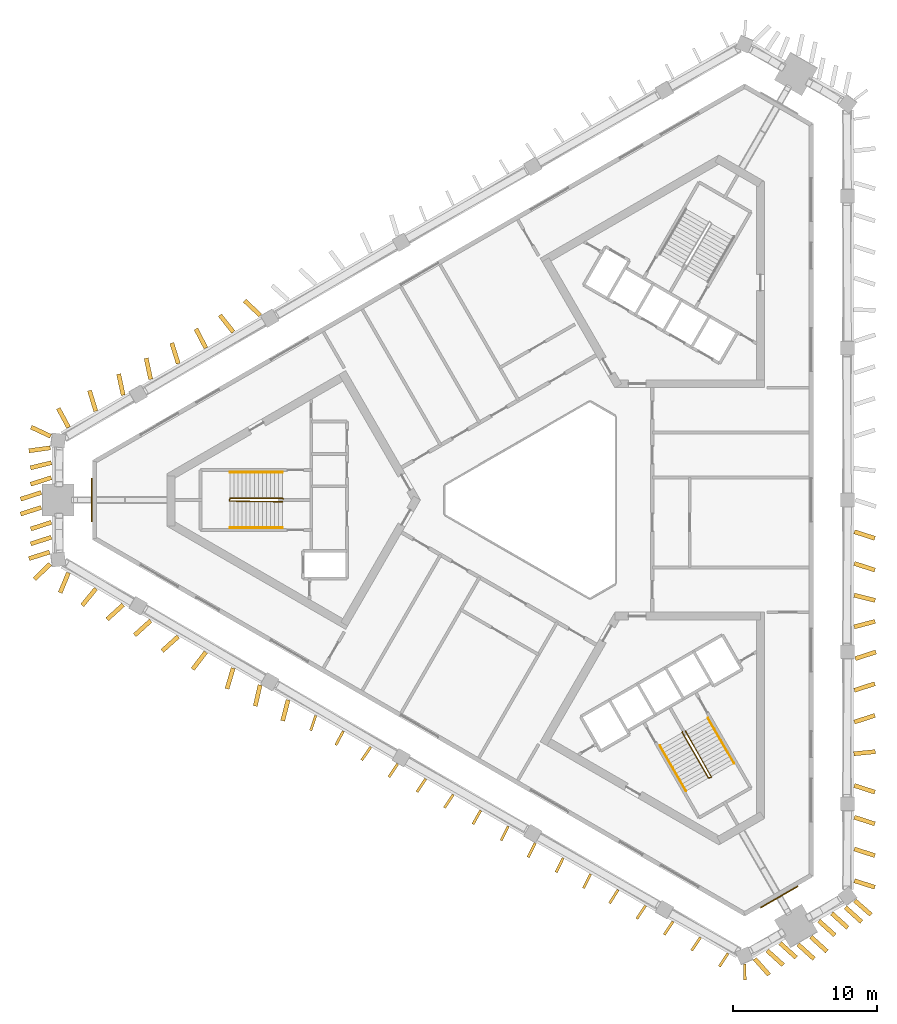
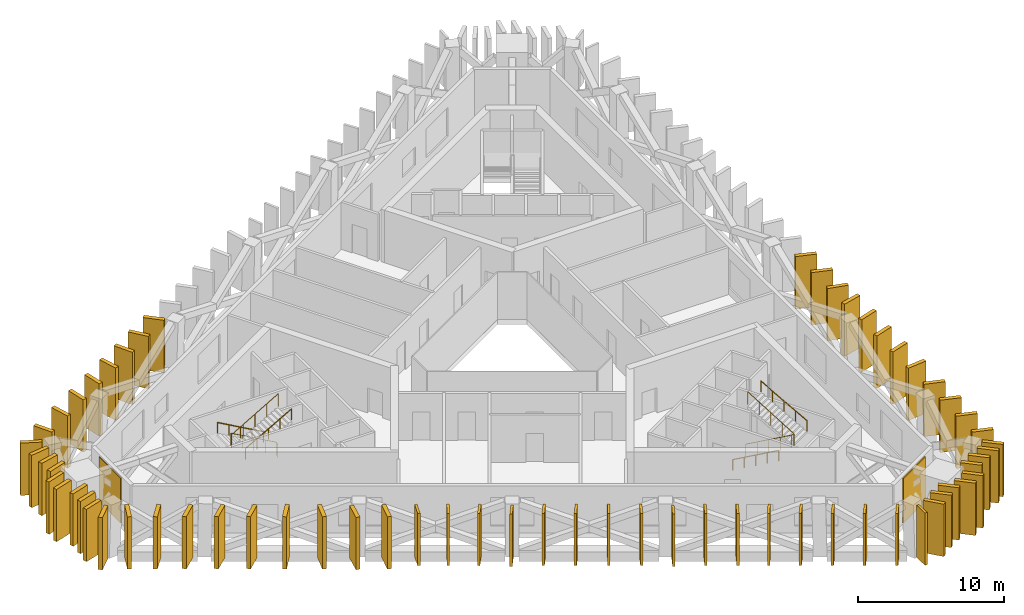
# One storey, part 8 of 9: 65 shading devices, 6 railings, 2 coverings.
"""IFC4 building model written with IfcOpenShell, lengths in metres."""

from ifc_helpers import new_model, si_unit, direction, frame, frame_2d, origin, origin_2d, place, context, subcontext, project, spatial, rectangle, circle, extrude, material, layer, layer_set, type_object, element, save


model = new_model("IFC4")

# Units and contexts
model_context = context("Model", 3, precision=1e-05, world=origin(), true_north=direction((0.0, 1.0)))
body_context = subcontext(model_context, "Body", "Model", "MODEL_VIEW")
ifc_project = project(units=[si_unit("LENGTHUNIT", "METRE"), si_unit("AREAUNIT", "SQUARE_METRE"), si_unit("VOLUMEUNIT", "CUBIC_METRE"), si_unit("PLANEANGLEUNIT", "RADIAN"), si_unit("MASSUNIT", "GRAM", prefix="KILO")], contexts=[model_context])

# Site, building, storey
site_placement = place(None, origin())
site = spatial("IfcSite", under=ifc_project, at=site_placement, CompositionType="ELEMENT")
building_placement = place(site_placement, origin())
building = spatial("IfcBuilding", under=site, at=building_placement, Name="Jabali Bay Hotel Tower and Convention Centre", CompositionType="ELEMENT")
storey_placement = place(building_placement, frame((0.0, 0.0, 197.0)))
storey = spatial("IfcBuildingStorey", under=building, at=storey_placement, Name="L48", CompositionType="ELEMENT", Elevation=197.0)

# Shading devices
ifc_material_1 = material(Name="Precast concrete C60", Category="concrete")
ifc_layer_1 = layer(ifc_material_1, 0.179931640625)
ifc_layer_set_1 = layer_set([ifc_layer_1], Name="Precast concrete C60")
shading_device_type_1 = type_object("IfcShadingDeviceType", Name="Precast fin 4380 x 1100", PredefinedType="USERDEFINED", material=ifc_layer_set_1)
for number, where, z_axis, x_axis, name in (
    (1, (58.728271484375, 65.03466796875, 0.010009765625), (0.0, 0.0, 1.0), (-0.318690112334, -0.947858962241, 0.0), "Fin L48 075"),
    (2, (60.643798828125, 63.946533203125, 0.010009765625), (0.0, 0.0, 1.0), (-0.476440413932, -0.879206762925, 0.0), "Fin L48 076"),
    (3, (62.549072265625, 62.840576171875, 0.010009765625), (0.0, 0.0, 1.0), (-0.57062871081, -0.821208179696, 0.0), "Fin L48 077"),
    (4, (64.420166015625, 61.67529296875, 0.010009765625), (0.0, 0.0, 1.0), (-0.559045879167, -0.829136722734, 0.0), "Fin L48 078"),
    (5, (66.36572265625, 60.638916015625, 0.010009765625), (0.0, 0.0, 1.0), (-0.555314670975, -0.831640316603, 0.0), "Fin L48 079"),
    (6, (68.273681640625, 59.53759765625, 0.010009765625), (0.0, 0.0, 1.0), (-0.553982926537, -0.83252802782, 0.0), "Fin L48 080"),
    (7, (70.18408203125, 58.440185546875, 0.010009765625), (0.0, 0.0, 1.0), (-0.492262012535, -0.870447075367, 0.0), "Fin L48 081"),
):
    element("IfcShadingDevice", number, at=place(storey_placement, frame(where, z_axis=z_axis, x_axis=x_axis)), inside=storey, type_object=shading_device_type_1, Name=name, ObjectType="FIN", PredefinedType="USERDEFINED", context=body_context, shape_type="SweptSolid", body=[
        extrude(rectangle(XDim=1.10009765625, YDim=0.179931640625, at=frame_2d((0.550048828125, 0.0))), origin(), (0.0, 0.0, 1.0), 4.3798828125),
    ])
shading_device_1_placement = place(storey_placement, frame((72.089599609375, 57.33447265625, 0.010009765625), z_axis=(0.0, 0.0, 1.0), x_axis=(-0.444814783853, -0.895622581262, 0.0)))
element("IfcShadingDevice", 8, at=shading_device_1_placement, inside=storey, type_object=shading_device_type_1, Name="Fin L48 082", ObjectType="FIN", PredefinedType="USERDEFINED", context=body_context, shape_type="SweptSolid", body=[
    extrude(rectangle(XDim=1.099853515625, YDim=0.179931640625, at=frame_2d((0.5498046875, 0.0))), origin(), (0.0, 0.0, 1.0), 4.3798828125),
])
for number, where, z_axis, x_axis, name in (
    (9, (73.962158203125, 56.172119140625, 0.010009765625), (0.0, 0.0, 1.0), (-0.444548317937, -0.895754873288, 0.0), "Fin L48 083"),
    (10, (75.9052734375, 55.131591796875, 0.010009765625), (0.0, 0.0, 1.0), (-0.444548317937, -0.895754873288, 0.0), "Fin L48 084"),
    (11, (77.813232421875, 54.030029296875, 0.010009765625), (0.0, 0.0, 1.0), (-0.444548317937, -0.895754873288, 0.0), "Fin L48 085"),
    (12, (79.72216796875, 52.930419921875, 0.010009765625), (0.0, 0.0, 1.0), (-0.532430600127, -0.846473659394, 0.0), "Fin L48 086"),
    (13, (81.629150390625, 51.826904296875, 0.010009765625), (0.0, 0.0, 1.0), (-0.554136731172, -0.832425662246, 0.0), "Fin L48 087"),
):
    element("IfcShadingDevice", number, at=place(storey_placement, frame(where, z_axis=z_axis, x_axis=x_axis)), inside=storey, type_object=shading_device_type_1, Name=name, ObjectType="FIN", PredefinedType="USERDEFINED", context=body_context, shape_type="SweptSolid", body=[
        extrude(rectangle(XDim=1.10009765625, YDim=0.179931640625, at=frame_2d((0.550048828125, 0.0))), origin(), (0.0, 0.0, 1.0), 4.3798828125),
    ])
for number, where, z_axis, x_axis, name in (
    (14, (83.536865234375, 50.72509765625, 0.010009765625), (0.0, 0.0, 1.0), (-0.555570666114, -0.831469322918, 0.0), "Fin L48 088"),
    (15, (85.444580078125, 49.623291015625, 0.010009765625), (0.0, 0.0, 1.0), (-0.559556717852, -0.828792060475, 0.0), "Fin L48 089"),
):
    element("IfcShadingDevice", number, at=place(storey_placement, frame(where, z_axis=z_axis, x_axis=x_axis)), inside=storey, type_object=shading_device_type_1, Name=name, ObjectType="FIN", PredefinedType="USERDEFINED", context=body_context, shape_type="SweptSolid", body=[
        extrude(rectangle(XDim=1.099853515625, YDim=0.179931640625, at=frame_2d((0.5498046875, 0.0))), origin(), (0.0, 0.0, 1.0), 4.3798828125),
    ])
for number, where, z_axis, x_axis, name in (
    (16, (87.353515625, 48.5234375, 0.010009765625), (0.0, 0.0, 1.0), (-0.541520118534, -0.840687790576, 0.0), "Fin L48 090"),
    (17, (88.509521484375, 47.770751953125, 0.010009765625), (0.0, 0.0, 1.0), (0.026411742172, -0.999651149089, 0.0), "Fin L48 104"),
):
    element("IfcShadingDevice", number, at=place(storey_placement, frame(where, z_axis=z_axis, x_axis=x_axis)), inside=storey, type_object=shading_device_type_1, Name=name, ObjectType="FIN", PredefinedType="USERDEFINED", context=body_context, shape_type="SweptSolid", body=[
        extrude(rectangle(XDim=1.10009765625, YDim=0.179931640625, at=frame_2d((0.550048828125, 0.0))), origin(), (0.0, 0.0, 1.0), 4.3798828125),
    ])
ifc_layer_2 = layer(ifc_material_1, 0.300048828125)
ifc_layer_set_2 = layer_set([ifc_layer_2], Name="Precast concrete C60")
shading_device_type_2 = type_object("IfcShadingDeviceType", Name="Precast fin 4380 x 1500", PredefinedType="USERDEFINED", material=ifc_layer_set_2)
shading_device_2_placement = place(storey_placement, frame((96.1240234375, 53.563232421875, 0.010009765625), z_axis=(0.0, 0.0, 1.0), x_axis=(0.952908676006, -0.303257407482, 0.0)))
element("IfcShadingDevice", 18, at=shading_device_2_placement, inside=storey, type_object=shading_device_type_2, Name="Fin L48 000", ObjectType="FIN", PredefinedType="USERDEFINED", context=body_context, shape_type="SweptSolid", body=[
    extrude(rectangle(XDim=1.499755859375, YDim=0.300048828125, at=frame_2d((0.75, 0.0))), origin(), (0.0, 0.0, 1.0), 4.3798828125),
])
shading_device_3_placement = place(storey_placement, frame((96.124267578125, 55.766357421875, 0.010009765625), z_axis=(0.0, 0.0, 1.0), x_axis=(0.952045492607, -0.305956500188, 0.0)))
element("IfcShadingDevice", 19, at=shading_device_3_placement, inside=storey, type_object=shading_device_type_2, Name="Fin L48 001", ObjectType="FIN", PredefinedType="USERDEFINED", context=body_context, shape_type="SweptSolid", body=[
    extrude(rectangle(XDim=1.500244140625, YDim=0.300048828125, at=frame_2d((0.75, 0.0))), origin(), (0.0, 0.0, 1.0), 4.3798828125),
])
for number, where, z_axis, x_axis, name in (
    (20, (96.12451171875, 57.969482421875, 0.010009765625), (0.0, 0.0, 1.0), (0.951825135568, -0.306641339844, 0.0), "Fin L48 002"),
    (21, (96.12451171875, 60.172607421875, 0.010009765625), (0.0, 0.0, 1.0), (0.951777621698, -0.30678878538, 0.0), "Fin L48 003"),
    (22, (96.093505859375, 62.37548828125, 0.010009765625), (0.0, 0.0, 1.0), (0.994928637477, 0.100583330273, 0.0), "Fin L48 004"),
):
    element("IfcShadingDevice", number, at=place(storey_placement, frame(where, z_axis=z_axis, x_axis=x_axis)), inside=storey, type_object=shading_device_type_2, Name=name, ObjectType="FIN", PredefinedType="USERDEFINED", context=body_context, shape_type="SweptSolid", body=[
        extrude(rectangle(XDim=1.5, YDim=0.300048828125, at=frame_2d((0.75, 0.0))), origin(), (0.0, 0.0, 1.0), 4.3798828125),
    ])
for number, where, z_axis, x_axis, name in (
    (23, (96.12451171875, 64.57861328125, 0.010009765625), (0.0, 0.0, 1.0), (0.951762299961, 0.306836315277, 0.0), "Fin L48 005"),
    (24, (96.12451171875, 66.78173828125, 0.010009765625), (0.0, 0.0, 1.0), (0.95180982779, 0.306688851643, 0.0), "Fin L48 006"),
):
    element("IfcShadingDevice", number, at=place(storey_placement, frame(where, z_axis=z_axis, x_axis=x_axis)), inside=storey, type_object=shading_device_type_2, Name=name, ObjectType="FIN", PredefinedType="USERDEFINED", context=body_context, shape_type="SweptSolid", body=[
        extrude(rectangle(XDim=1.499755859375, YDim=0.300048828125, at=frame_2d((0.75, 0.0))), origin(), (0.0, 0.0, 1.0), 4.3798828125),
    ])
for number, where, z_axis, x_axis, name in (
    (25, (96.19921875, 68.984619140625, 0.010009765625), (0.0, 0.0, 1.0), (0.951777621698, 0.30678878538, 0.0), "Fin L48 007"),
    (26, (96.11669921875, 71.187744140625, 0.010009765625), (0.0, 0.0, 1.0), (0.966890877452, 0.255190186138, 0.0), "Fin L48 008"),
    (27, (96.114990234375, 73.390869140625, 0.010009765625), (0.0, 0.0, 1.0), (0.969902670858, -0.243492934318, 0.0), "Fin L48 009"),
):
    element("IfcShadingDevice", number, at=place(storey_placement, frame(where, z_axis=z_axis, x_axis=x_axis)), inside=storey, type_object=shading_device_type_2, Name=name, ObjectType="FIN", PredefinedType="USERDEFINED", context=body_context, shape_type="SweptSolid", body=[
        extrude(rectangle(XDim=1.5, YDim=0.300048828125, at=frame_2d((0.75, 0.0))), origin(), (0.0, 0.0, 1.0), 4.3798828125),
    ])
for number, where, z_axis, x_axis, name in (
    (28, (96.12451171875, 75.593994140625, 0.010009765625), (0.0, 0.0, 1.0), (0.951762299961, -0.306836315277, 0.0), "Fin L48 010"),
    (29, (96.12451171875, 77.796875, 0.010009765625), (0.0, 0.0, 1.0), (0.951762299961, -0.306836315277, 0.0), "Fin L48 011"),
):
    element("IfcShadingDevice", number, at=place(storey_placement, frame(where, z_axis=z_axis, x_axis=x_axis)), inside=storey, type_object=shading_device_type_2, Name=name, ObjectType="FIN", PredefinedType="USERDEFINED", context=body_context, shape_type="SweptSolid", body=[
        extrude(rectangle(XDim=1.499755859375, YDim=0.300048828125, at=frame_2d((0.75, 0.0))), origin(), (0.0, 0.0, 1.0), 4.3798828125),
    ])
for number, where, z_axis, x_axis, name in (
    (30, (54.881103515625, 92.816650390625, 0.010009765625), (0.0, 0.0, 1.0), (-0.729603180017, 0.68387074781, 0.0), "Fin L48 050"),
    (31, (53.002197265625, 91.66455078125, 0.010009765625), (0.0, 0.0, 1.0), (-0.622568876873, 0.782565009152, 0.0), "Fin L48 051"),
):
    element("IfcShadingDevice", number, at=place(storey_placement, frame(where, z_axis=z_axis, x_axis=x_axis)), inside=storey, type_object=shading_device_type_2, Name=name, ObjectType="FIN", PredefinedType="USERDEFINED", context=body_context, shape_type="SweptSolid", body=[
        extrude(rectangle(XDim=1.5, YDim=0.300048828125, at=frame_2d((0.75, 0.0))), origin(), (0.0, 0.0, 1.0), 4.3798828125),
    ])
shading_device_4_placement = place(storey_placement, frame((51.102294921875, 90.54931640625, 0.010009765625), z_axis=(0.0, 0.0, 1.0), x_axis=(-0.463289077557, 0.886207216522, 0.0)))
element("IfcShadingDevice", 32, at=shading_device_4_placement, inside=storey, type_object=shading_device_type_2, Name="Fin L48 052", ObjectType="FIN", PredefinedType="USERDEFINED", context=body_context, shape_type="SweptSolid", body=[
    extrude(rectangle(XDim=1.499755859375, YDim=0.300048828125, at=frame_2d((0.75, 0.0))), origin(), (0.0, 0.0, 1.0), 4.3798828125),
])
shading_device_5_placement = place(storey_placement, frame((49.18115234375, 89.470458984375, 0.010009765625), z_axis=(0.0, 0.0, 1.0), x_axis=(-0.299136699949, 0.954210267574, 0.0)))
element("IfcShadingDevice", 33, at=shading_device_5_placement, inside=storey, type_object=shading_device_type_2, Name="Fin L48 053", ObjectType="FIN", PredefinedType="USERDEFINED", context=body_context, shape_type="SweptSolid", body=[
    extrude(rectangle(XDim=1.5, YDim=0.300048828125, at=frame_2d((0.75, 0.0))), origin(), (0.0, 0.0, 1.0), 4.3798828125),
])
shading_device_6_placement = place(storey_placement, frame((47.2666015625, 88.380615234375, 0.010009765625), z_axis=(0.0, 0.0, 1.0), x_axis=(-0.210151588234, 0.977668814048, 0.0)))
element("IfcShadingDevice", 34, at=shading_device_6_placement, inside=storey, type_object=shading_device_type_2, Name="Fin L48 054", ObjectType="FIN", PredefinedType="USERDEFINED", context=body_context, shape_type="SweptSolid", body=[
    extrude(rectangle(XDim=1.499755859375, YDim=0.300048828125, at=frame_2d((0.75, 0.0))), origin(), (0.0, 0.0, 1.0), 4.3798828125),
])
shading_device_7_placement = place(storey_placement, frame((45.358642578125, 87.279052734375, 0.010009765625), z_axis=(0.0, 0.0, 1.0), x_axis=(-0.210118148459, 0.977676001387, 0.0)))
element("IfcShadingDevice", 35, at=shading_device_7_placement, inside=storey, type_object=shading_device_type_2, Name="Fin L48 055", ObjectType="FIN", PredefinedType="USERDEFINED", context=body_context, shape_type="SweptSolid", body=[
    extrude(rectangle(XDim=1.5, YDim=0.300048828125, at=frame_2d((0.75, 0.0))), origin(), (0.0, 0.0, 1.0), 4.3798828125),
])
shading_device_8_placement = place(storey_placement, frame((43.45703125, 86.1669921875, 0.010009765625), z_axis=(0.0, 0.0, 1.0), x_axis=(-0.292346732451, 0.956312390396, 0.0)))
element("IfcShadingDevice", 36, at=shading_device_8_placement, inside=storey, type_object=shading_device_type_2, Name="Fin L48 056", ObjectType="FIN", PredefinedType="USERDEFINED", context=body_context, shape_type="SweptSolid", body=[
    extrude(rectangle(XDim=1.499755859375, YDim=0.300048828125, at=frame_2d((0.75, 0.0))), origin(), (0.0, 0.0, 1.0), 4.3798828125),
])
for number, where, z_axis, x_axis, name in (
    (37, (41.563720703125, 85.039794921875, 0.010009765625), (0.0, 0.0, 1.0), (-0.474604446518, 0.880199192993, 0.0), "Fin L48 057"),
    (38, (40.298095703125, 83.62158203125, 0.010009765625), (0.0, 0.0, 1.0), (-0.990406449528, -0.138184893287, 0.0), "Fin L48 058"),
    (39, (40.37646484375, 82.5869140625, 0.010009765625), (0.0, 0.0, 1.0), (-0.971514855309, -0.236978661305, 0.0), "Fin L48 059"),
    (40, (40.365966796875, 81.552001953125, 0.010009765625), (0.0, 0.0, 1.0), (-0.951825135568, -0.306641339844, 0.0), "Fin L48 060"),
    (41, (39.666748046875, 80.517333984375, 0.010009765625), (0.0, 0.0, 1.0), (-0.951777621698, -0.30678878538, 0.0), "Fin L48 061"),
    (42, (39.666748046875, 79.482666015625, 0.010009765625), (0.0, 0.0, 1.0), (-0.951777621698, -0.30678878538, 0.0), "Fin L48 062"),
    (43, (40.365966796875, 78.447998046875, 0.010009765625), (0.0, 0.0, 1.0), (-0.951777621698, -0.30678878538, 0.0), "Fin L48 063"),
    (44, (40.365966796875, 77.4130859375, 0.010009765625), (0.0, 0.0, 1.0), (-0.951777621698, -0.30678878538, 0.0), "Fin L48 064"),
    (45, (40.24365234375, 76.37841796875, 0.010009765625), (0.0, 0.0, 1.0), (-0.954256713917, -0.298988501359, 0.0), "Fin L48 065"),
):
    element("IfcShadingDevice", number, at=place(storey_placement, frame(where, z_axis=z_axis, x_axis=x_axis)), inside=storey, type_object=shading_device_type_2, Name=name, ObjectType="FIN", PredefinedType="USERDEFINED", context=body_context, shape_type="SweptSolid", body=[
        extrude(rectangle(XDim=1.5, YDim=0.300048828125, at=frame_2d((0.75, 0.0))), origin(), (0.0, 0.0, 1.0), 4.3798828125),
    ])
shading_device_9_placement = place(storey_placement, frame((41.55615234375, 74.94677734375, 0.010009765625), z_axis=(0.0, 0.0, 1.0), x_axis=(-0.382533901018, -0.923941456247, 0.0)))
element("IfcShadingDevice", 46, at=shading_device_9_placement, inside=storey, type_object=shading_device_type_2, Name="Fin L48 066", ObjectType="FIN", PredefinedType="USERDEFINED", context=body_context, shape_type="SweptSolid", body=[
    extrude(rectangle(XDim=1.499755859375, YDim=0.300048828125, at=frame_2d((0.75, 0.0))), origin(), (0.0, 0.0, 1.0), 4.3798828125),
])
for number, where, z_axis, x_axis, name in (
    (47, (43.4619140625, 73.841552734375, 0.010009765625), (0.0, 0.0, 1.0), (-0.632484122427, -0.774573324403, 0.0), "Fin L48 067"),
    (48, (45.358642578125, 72.720947265625, 0.010009765625), (0.0, 0.0, 1.0), (-0.741543490988, -0.670904800231, 0.0), "Fin L48 068"),
    (49, (47.2666015625, 71.619384765625, 0.010009765625), (0.0, 0.0, 1.0), (-0.741543490988, -0.670904800231, 0.0), "Fin L48 069"),
):
    element("IfcShadingDevice", number, at=place(storey_placement, frame(where, z_axis=z_axis, x_axis=x_axis)), inside=storey, type_object=shading_device_type_2, Name=name, ObjectType="FIN", PredefinedType="USERDEFINED", context=body_context, shape_type="SweptSolid", body=[
        extrude(rectangle(XDim=1.5, YDim=0.300048828125, at=frame_2d((0.75, 0.0))), origin(), (0.0, 0.0, 1.0), 4.3798828125),
    ])
shading_device_10_placement = place(storey_placement, frame((49.174560546875, 70.517822265625, 0.010009765625), z_axis=(0.0, 0.0, 1.0), x_axis=(-0.741470216408, -0.670985780907, 0.0)))
element("IfcShadingDevice", 50, at=shading_device_10_placement, inside=storey, type_object=shading_device_type_2, Name="Fin L48 070", ObjectType="FIN", PredefinedType="USERDEFINED", context=body_context, shape_type="SweptSolid", body=[
    extrude(rectangle(XDim=1.499755859375, YDim=0.300048828125, at=frame_2d((0.75, 0.0))), origin(), (0.0, 0.0, 1.0), 4.3798828125),
])
shading_device_11_placement = place(storey_placement, frame((51.095703125, 69.439453125, 0.010009765625), z_axis=(0.0, 0.0, 1.0), x_axis=(-0.607293012462, -0.794477939917, 0.0)))
element("IfcShadingDevice", 51, at=shading_device_11_placement, inside=storey, type_object=shading_device_type_2, Name="Fin L48 071", ObjectType="FIN", PredefinedType="USERDEFINED", context=body_context, shape_type="SweptSolid", body=[
    extrude(rectangle(XDim=1.5, YDim=0.300048828125, at=frame_2d((0.75, 0.0))), origin(), (0.0, 0.0, 1.0), 4.3798828125),
])
shading_device_12_placement = place(storey_placement, frame((52.99609375, 68.32470703125, 0.010009765625), z_axis=(0.0, 0.0, 1.0), x_axis=(-0.286093511077, -0.958201702628, 0.0)))
element("IfcShadingDevice", 52, at=shading_device_12_placement, inside=storey, type_object=shading_device_type_2, Name="Fin L48 072", ObjectType="FIN", PredefinedType="USERDEFINED", context=body_context, shape_type="SweptSolid", body=[
    extrude(rectangle(XDim=1.500244140625, YDim=0.300048828125, at=frame_2d((0.75, 0.0))), origin(), (0.0, 0.0, 1.0), 4.3798828125),
])
shading_device_13_placement = place(storey_placement, frame((54.861572265625, 67.14990234375, 0.010009765625), z_axis=(0.0, 0.0, 1.0), x_axis=(-0.221184934638, -0.975231882523, 0.0)))
element("IfcShadingDevice", 53, at=shading_device_13_placement, inside=storey, type_object=shading_device_type_2, Name="Fin L48 073", ObjectType="FIN", PredefinedType="USERDEFINED", context=body_context, shape_type="SweptSolid", body=[
    extrude(rectangle(XDim=1.5, YDim=0.300048828125, at=frame_2d((0.75, 0.0))), origin(), (0.0, 0.0, 1.0), 4.3798828125),
])
shading_device_14_placement = place(storey_placement, frame((56.80908203125, 66.116943359375, 0.010009765625), z_axis=(0.0, 0.0, 1.0), x_axis=(-0.250837877836, -0.968029110638, 0.0)))
element("IfcShadingDevice", 54, at=shading_device_14_placement, inside=storey, type_object=shading_device_type_2, Name="Fin L48 074", ObjectType="FIN", PredefinedType="USERDEFINED", context=body_context, shape_type="SweptSolid", body=[
    extrude(rectangle(XDim=1.499755859375, YDim=0.300048828125, at=frame_2d((0.75, 0.0))), origin(), (0.0, 0.0, 1.0), 4.3798828125),
])
for number, where, z_axis, x_axis, name in (
    (55, (89.211181640625, 48.142333984375, 0.010009765625), (0.0, 0.0, 1.0), (0.664212292574, -0.747543998969, 0.0), "Fin L48 091"),
    (56, (90.07666015625, 48.712646484375, 0.010009765625), (0.0, 0.0, 1.0), (0.741543490988, -0.670904800231, 0.0), "Fin L48 092"),
    (57, (90.972900390625, 49.22998046875, 0.010009765625), (0.0, 0.0, 1.0), (0.741543490988, -0.670904800231, 0.0), "Fin L48 093"),
):
    element("IfcShadingDevice", number, at=place(storey_placement, frame(where, z_axis=z_axis, x_axis=x_axis)), inside=storey, type_object=shading_device_type_2, Name=name, ObjectType="FIN", PredefinedType="USERDEFINED", context=body_context, shape_type="SweptSolid", body=[
        extrude(rectangle(XDim=1.5, YDim=0.300048828125, at=frame_2d((0.75, 0.0))), origin(), (0.0, 0.0, 1.0), 4.3798828125),
    ])
shading_device_15_placement = place(storey_placement, frame((92.218505859375, 49.141845703125, 0.010009765625), z_axis=(0.0, 0.0, 1.0), x_axis=(0.741616739041, -0.670823831101, 0.0)))
element("IfcShadingDevice", 58, at=shading_device_15_placement, inside=storey, type_object=shading_device_type_2, Name="Fin L48 094", ObjectType="FIN", PredefinedType="USERDEFINED", context=body_context, shape_type="SweptSolid", body=[
    extrude(rectangle(XDim=1.500244140625, YDim=0.300048828125, at=frame_2d((0.75, 0.0))), origin(), (0.0, 0.0, 1.0), 4.3798828125),
])
for number, where, z_axis, x_axis, name in (
    (59, (93.11474609375, 49.6591796875, 0.010009765625), (0.0, 0.0, 1.0), (0.741543490988, -0.670904800231, 0.0), "Fin L48 095"),
    (60, (93.6611328125, 50.7822265625, 0.010009765625), (0.0, 0.0, 1.0), (0.741543490988, -0.670904800231, 0.0), "Fin L48 096"),
    (61, (94.557373046875, 51.299560546875, 0.010009765625), (0.0, 0.0, 1.0), (0.741543490988, -0.670904800231, 0.0), "Fin L48 097"),
    (62, (95.51513671875, 51.7099609375, 0.010009765625), (0.0, 0.0, 1.0), (0.741543490988, -0.670904800231, 0.0), "Fin L48 098"),
    (63, (96.15478515625, 52.186767578125, 0.010009765625), (0.0, 0.0, 1.0), (0.753865740682, -0.657028496358, 0.0), "Fin L48 099"),
    (64, (40.321044921875, 84.42236328125, 0.010009765625), (0.0, 0.0, 1.0), (-0.905437433191, 0.424479745778, 0.0), "Fin L48 102"),
):
    element("IfcShadingDevice", number, at=place(storey_placement, frame(where, z_axis=z_axis, x_axis=x_axis)), inside=storey, type_object=shading_device_type_2, Name=name, ObjectType="FIN", PredefinedType="USERDEFINED", context=body_context, shape_type="SweptSolid", body=[
        extrude(rectangle(XDim=1.5, YDim=0.300048828125, at=frame_2d((0.75, 0.0))), origin(), (0.0, 0.0, 1.0), 4.3798828125),
    ])
shading_device_16_placement = place(storey_placement, frame((40.27880859375, 75.55322265625, 0.010009765625), z_axis=(0.0, 0.0, 1.0), x_axis=(-0.711810396814, -0.702371667273, 0.0)))
element("IfcShadingDevice", 65, at=shading_device_16_placement, inside=storey, type_object=shading_device_type_2, Name="Fin L48 103", ObjectType="FIN", PredefinedType="USERDEFINED", context=body_context, shape_type="SweptSolid", body=[
    extrude(rectangle(XDim=1.500244140625, YDim=0.300048828125, at=frame_2d((0.75, 0.0))), origin(), (0.0, 0.0, 1.0), 4.3798828125),
])

# Coverings
ifc_material_2 = material(Name="Precast concrete C40/50", Category="concrete")
ifc_layer_3 = layer(ifc_material_2, 0.080078125)
ifc_layer_set_3 = layer_set([ifc_layer_3], Name="Precast concrete C40/50")
covering_type = type_object("IfcCoveringType", Name="Relief panel 3000 x 3750", PredefinedType="CLADDING", material=ifc_layer_set_3)
for number, where, z_axis, x_axis, name in (
    (66, (43.172119140625, 80.0, 0.10009765625), (0.0, 0.0, 1.0), (0.0, 1.0, 0.0), "Relief panel L48"),
    (67, (90.9140625, 52.43603515625, 0.10009765625), (0.0, 0.0, 1.0), (-0.866025401166, -0.500000004534, 0.0), "Relief panel L48"),
):
    element("IfcCovering", number, at=place(storey_placement, frame(where, z_axis=z_axis, x_axis=x_axis)), inside=storey, type_object=covering_type, Name=name, PredefinedType="CLADDING", context=body_context, shape_type="SweptSolid", body=[
        extrude(rectangle(XDim=3.0, YDim=0.080078125, at=origin_2d()), origin(), (0.0, 0.0, 1.0), 3.75),
    ])

# Railings
ifc_material_3 = material(Name="Steel Q355B", Category="steel")
railing_type_1 = type_object("IfcRailingType", Name="Stair guard 1100", PredefinedType="GUARDRAIL", material=ifc_material_3)
railing_1_placement = place(storey_placement, frame((56.469970703125, 80.074951171875, 0.0)))
element("IfcRailing", 68, at=railing_1_placement, inside=storey, type_object=railing_type_1, Name="L48 ST1 stair guard 1", PredefinedType="GUARDRAIL", context=body_context, shape_type="SweptSolid", body=[
    extrude(circle(Radius=0.02392578125, at=origin_2d()), frame((0.0, 0.0, 1.076171875), z_axis=(-0.290266377826, 0.290266377826, 0.911861206439), x_axis=(-0.707106781187, -0.707106781187, 0.0)), (0.0, 0.0, 1.0), 0.17236328125),
    extrude(circle(Radius=0.02392578125, at=origin_2d()), frame((-0.050048828125, 0.050048828125, 1.2333984375), z_axis=(-0.872057804188, 0.0, 0.489402887359), x_axis=(0.0, -1.0, 0.0)), (0.0, 0.0, 1.0), 4.173828125),
    extrude(circle(Radius=0.02392578125, at=origin_2d()), frame((-3.68994140625, 0.050048828125, 3.27587890625), z_axis=(-0.242814311512, -0.970072785993, 0.0), x_axis=(0.970072785993, -0.242814311512, 0.0)), (0.0, 0.0, 1.0), 0.2060546875),
    extrude(circle(Radius=0.02392578125, at=origin_2d()), frame((-3.739990234375, -0.14990234375, 3.27587890625), z_axis=(0.858870423873, -0.011649360652, 0.512060433341), x_axis=(0.013562335953, 0.999908027292, 0.0)), (0.0, 0.0, 1.0), 4.29638671875),
    extrude(circle(Radius=0.02099609375, at=origin_2d()), origin(), (0.0, 0.0, 1.0), 1.052001953125),
    extrude(circle(Radius=0.02099609375, at=origin_2d()), frame((-0.050048828125, 0.050048828125, 0.1572265625)), (0.0, 0.0, 1.0), 1.052001953125),
    extrude(circle(Radius=0.02099609375, at=origin_2d()), frame((-0.9599609375, 0.050048828125, 0.66796875)), (0.0, 0.0, 1.0), 1.052001953125),
    extrude(circle(Radius=0.02099609375, at=origin_2d()), frame((-1.8701171875, 0.050048828125, 1.1787109375)), (0.0, 0.0, 1.0), 1.052001953125),
    extrude(circle(Radius=0.02099609375, at=origin_2d()), frame((-2.780029296875, 0.050048828125, 1.689208984375)), (0.0, 0.0, 1.0), 1.052001953125),
    extrude(circle(Radius=0.02099609375, at=origin_2d()), frame((-3.68994140625, 0.050048828125, 2.199951171875)), (0.0, 0.0, 1.0), 1.052001953125),
    extrude(circle(Radius=0.02099609375, at=origin_2d()), frame((-3.739990234375, -0.14990234375, 2.199951171875)), (0.0, 0.0, 1.0), 1.052001953125),
    extrude(circle(Radius=0.02099609375, at=origin_2d()), frame((-2.8173828125, -0.162353515625, 2.75)), (0.0, 0.0, 1.0), 1.052001953125),
    extrude(circle(Radius=0.02099609375, at=origin_2d()), frame((-1.89501953125, -0.1748046875, 3.2998046875)), (0.0, 0.0, 1.0), 1.052001953125),
    extrude(circle(Radius=0.02099609375, at=origin_2d()), frame((-0.97265625, -0.1875, 3.849853515625)), (0.0, 0.0, 1.0), 1.052001953125),
    extrude(circle(Radius=0.02099609375, at=origin_2d()), frame((-0.050048828125, -0.199951171875, 4.39990234375)), (0.0, 0.0, 1.0), 1.052001953125),
])
railing_2_placement = place(storey_placement, frame((84.199951171875, 63.9150390625, 0.0)))
element("IfcRailing", 69, at=railing_2_placement, inside=storey, type_object=railing_type_1, Name="L48 ST3 stair guard 1", PredefinedType="GUARDRAIL", context=body_context, shape_type="SweptSolid", body=[
    extrude(circle(Radius=0.02392578125, at=origin_2d()), frame((0.0, 0.0, 1.076171875), z_axis=(-0.106197677715, -0.396471330136, 0.911884059312), x_axis=(0.965948051503, -0.258736085224, 0.0)), (0.0, 0.0, 1.0), 0.17236328125),
    extrude(circle(Radius=0.02392578125, at=origin_2d()), frame((-0.018310546875, -0.068359375, 1.2333984375), z_axis=(0.436044357701, -0.755225318126, 0.48938740991), x_axis=(0.866018046521, 0.500012742938, 0.0)), (0.0, 0.0, 1.0), 4.174072265625),
    extrude(circle(Radius=0.02392578125, at=origin_2d()), frame((1.8017578125, -3.220703125, 3.27587890625), z_axis=(0.96121063429, 0.275815366736, 0.0), x_axis=(-0.275815366736, 0.96121063429, 0.0)), (0.0, 0.0, 1.0), 0.206298828125),
    extrude(circle(Radius=0.02392578125, at=origin_2d()), frame((2.0, -3.163818359375, 3.27587890625), z_axis=(-0.419382495405, 0.749603590364, 0.512067163428), x_axis=(-0.872702246529, -0.488252792008, 0.0)), (0.0, 0.0, 1.0), 4.296142578125),
    extrude(circle(Radius=0.02099609375, at=origin_2d()), origin(), (0.0, 0.0, 1.0), 1.052001953125),
    extrude(circle(Radius=0.02099609375, at=origin_2d()), frame((-0.018310546875, -0.068359375, 0.1572265625)), (0.0, 0.0, 1.0), 1.052001953125),
    extrude(circle(Radius=0.02099609375, at=origin_2d()), frame((0.436767578125, -0.8564453125, 0.66796875)), (0.0, 0.0, 1.0), 1.052001953125),
    extrude(circle(Radius=0.02099609375, at=origin_2d()), frame((0.8916015625, -1.64453125, 1.1787109375)), (0.0, 0.0, 1.0), 1.052001953125),
    extrude(circle(Radius=0.02099609375, at=origin_2d()), frame((1.3466796875, -2.4326171875, 1.689208984375)), (0.0, 0.0, 1.0), 1.052001953125),
    extrude(circle(Radius=0.02099609375, at=origin_2d()), frame((1.8017578125, -3.220703125, 2.199951171875)), (0.0, 0.0, 1.0), 1.052001953125),
    extrude(circle(Radius=0.02099609375, at=origin_2d()), frame((2.0, -3.163818359375, 2.199951171875)), (0.0, 0.0, 1.0), 1.052001953125),
    extrude(circle(Radius=0.02099609375, at=origin_2d()), frame((1.549560546875, -2.358642578125, 2.75)), (0.0, 0.0, 1.0), 1.052001953125),
    extrude(circle(Radius=0.02099609375, at=origin_2d()), frame((1.09912109375, -1.5537109375, 3.2998046875)), (0.0, 0.0, 1.0), 1.052001953125),
    extrude(circle(Radius=0.02099609375, at=origin_2d()), frame((0.648681640625, -0.74853515625, 3.849853515625)), (0.0, 0.0, 1.0), 1.052001953125),
    extrude(circle(Radius=0.02099609375, at=origin_2d()), frame((0.1982421875, 0.056640625, 4.39990234375)), (0.0, 0.0, 1.0), 1.052001953125),
])
railing_type_2 = type_object("IfcRailingType", Name="Stair handrail 900", PredefinedType="HANDRAIL", material=ifc_material_3)
railing_3_placement = place(storey_placement, frame((56.419921875, 81.925048828125, 0.1572265625)))
element("IfcRailing", 70, at=railing_3_placement, inside=storey, type_object=railing_type_2, Name="L48 ST1 stair handrail 1", PredefinedType="HANDRAIL", context=body_context, shape_type="SweptSolid", body=[
    extrude(circle(Radius=0.02392578125, at=origin_2d()), frame((0.0, 0.0, 0.8759765625), z_axis=(-0.872057804188, 0.0, 0.489402887359), x_axis=(0.0, -1.0, 0.0)), (0.0, 0.0, 1.0), 4.173828125),
    extrude(circle(Radius=0.02099609375, at=origin_2d()), origin(), (0.0, 0.0, 1.0), 0.851806640625),
    extrude(circle(Radius=0.02099609375, at=origin_2d()), frame((-0.909912109375, 0.0, 0.5107421875)), (0.0, 0.0, 1.0), 0.851806640625),
    extrude(circle(Radius=0.02099609375, at=origin_2d()), frame((-1.81982421875, 0.0, 1.021484375)), (0.0, 0.0, 1.0), 0.851806640625),
    extrude(circle(Radius=0.02099609375, at=origin_2d()), frame((-2.72998046875, 0.0, 1.531982421875)), (0.0, 0.0, 1.0), 0.851806640625),
    extrude(circle(Radius=0.02099609375, at=origin_2d()), frame((-3.639892578125, 0.0, 2.042724609375)), (0.0, 0.0, 1.0), 0.851806640625),
])
railing_4_placement = place(storey_placement, frame((52.780029296875, 78.074951171875, 2.357177734375)))
element("IfcRailing", 71, at=railing_4_placement, inside=storey, type_object=railing_type_2, Name="L48 ST1 stair handrail 2", PredefinedType="HANDRAIL", context=body_context, shape_type="SweptSolid", body=[
    extrude(circle(Radius=0.02392578125, at=origin_2d()), frame((0.0, 0.0, 0.8759765625), z_axis=(0.872057804188, 0.0, 0.489402887359), x_axis=(0.0, 1.0, 0.0)), (0.0, 0.0, 1.0), 4.173828125),
    extrude(circle(Radius=0.02099609375, at=origin_2d()), origin(), (0.0, 0.0, 1.0), 0.851806640625),
    extrude(circle(Radius=0.02099609375, at=origin_2d()), frame((0.909912109375, 0.0, 0.5107421875)), (0.0, 0.0, 1.0), 0.851806640625),
    extrude(circle(Radius=0.02099609375, at=origin_2d()), frame((1.81982421875, 0.0, 1.021484375)), (0.0, 0.0, 1.0), 0.851806640625),
    extrude(circle(Radius=0.02099609375, at=origin_2d()), frame((2.72998046875, 0.0, 1.531982421875)), (0.0, 0.0, 1.0), 0.851806640625),
    extrude(circle(Radius=0.02099609375, at=origin_2d()), frame((3.639892578125, 0.0, 2.042724609375)), (0.0, 0.0, 1.0), 0.851806640625),
])
railing_5_placement = place(storey_placement, frame((82.622802734375, 62.94677734375, 0.1572265625)))
element("IfcRailing", 72, at=railing_5_placement, inside=storey, type_object=railing_type_2, Name="L48 ST3 stair handrail 1", PredefinedType="HANDRAIL", context=body_context, shape_type="SweptSolid", body=[
    extrude(circle(Radius=0.02392578125, at=origin_2d()), frame((0.0, 0.0, 0.8759765625), z_axis=(0.436044357701, -0.755225318126, 0.48938740991), x_axis=(0.866018046521, 0.500012742938, 0.0)), (0.0, 0.0, 1.0), 4.174072265625),
    extrude(circle(Radius=0.02099609375, at=origin_2d()), origin(), (0.0, 0.0, 1.0), 0.851806640625),
    extrude(circle(Radius=0.02099609375, at=origin_2d()), frame((0.455078125, -0.7880859375, 0.5107421875)), (0.0, 0.0, 1.0), 0.851806640625),
    extrude(circle(Radius=0.02099609375, at=origin_2d()), frame((0.91015625, -1.576171875, 1.021484375)), (0.0, 0.0, 1.0), 0.851806640625),
    extrude(circle(Radius=0.02099609375, at=origin_2d()), frame((1.364990234375, -2.3642578125, 1.531982421875)), (0.0, 0.0, 1.0), 0.851806640625),
    extrude(circle(Radius=0.02099609375, at=origin_2d()), frame((1.820068359375, -3.15234375, 2.042724609375)), (0.0, 0.0, 1.0), 0.851806640625),
])
railing_6_placement = place(storey_placement, frame((87.777099609375, 61.719482421875, 2.357177734375)))
element("IfcRailing", 73, at=railing_6_placement, inside=storey, type_object=railing_type_2, Name="L48 ST3 stair handrail 2", PredefinedType="HANDRAIL", context=body_context, shape_type="SweptSolid", body=[
    extrude(circle(Radius=0.02392578125, at=origin_2d()), frame((0.0, 0.0, 0.8759765625), z_axis=(-0.436044357701, 0.755225318126, 0.48938740991), x_axis=(-0.866018046521, -0.500012742938, 0.0)), (0.0, 0.0, 1.0), 4.174072265625),
    extrude(circle(Radius=0.02099609375, at=origin_2d()), origin(), (0.0, 0.0, 1.0), 0.851806640625),
    extrude(circle(Radius=0.02099609375, at=origin_2d()), frame((-0.455078125, 0.7880859375, 0.5107421875)), (0.0, 0.0, 1.0), 0.851806640625),
    extrude(circle(Radius=0.02099609375, at=origin_2d()), frame((-0.91015625, 1.576171875, 1.021484375)), (0.0, 0.0, 1.0), 0.851806640625),
    extrude(circle(Radius=0.02099609375, at=origin_2d()), frame((-1.364990234375, 2.3642578125, 1.531982421875)), (0.0, 0.0, 1.0), 0.851806640625),
    extrude(circle(Radius=0.02099609375, at=origin_2d()), frame((-1.820068359375, 3.15234375, 2.042724609375)), (0.0, 0.0, 1.0), 0.851806640625),
])

save(model, "model.ifc")
